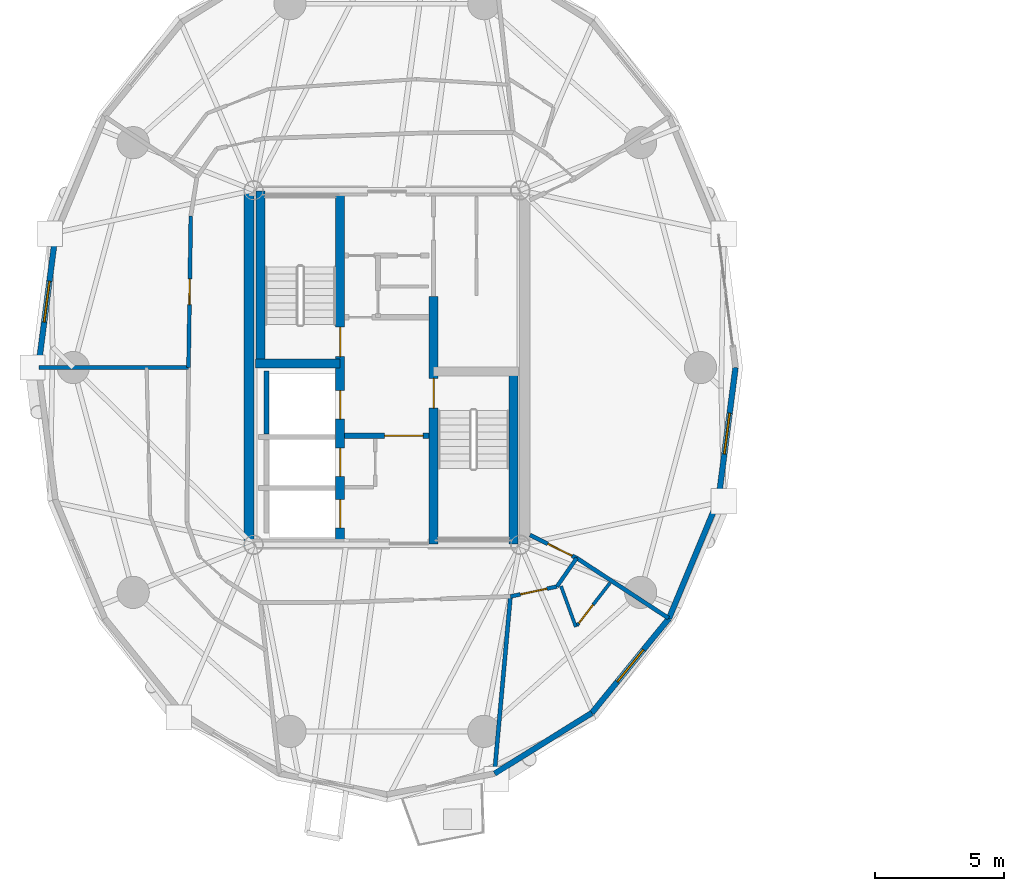
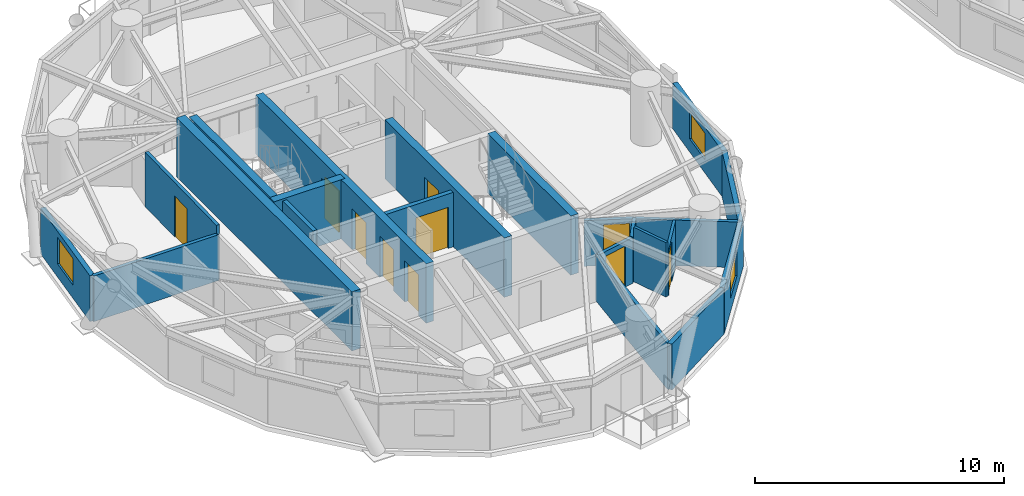
# One storey, part 10 of 18: 22 walls, 10 doors, 3 windows, 13 openings.
"""IFC4 building model written with IfcOpenShell, lengths in metres."""

from ifc_helpers import new_model, si_unit, direction, frame, frame_2d, origin, place, context, subcontext, project, spatial, rectangle, extrude, source, transform, mapped, material, layer, layer_set, type_object, element, fill, save


model = new_model("IFC4")

# Units and contexts
model_context = context("Model", 3, precision=1e-05, world=origin(), true_north=direction((0.0, 1.0)))
body_context = subcontext(model_context, "Body", "Model", "MODEL_VIEW")
ifc_project = project(units=[si_unit("LENGTHUNIT", "METRE"), si_unit("AREAUNIT", "SQUARE_METRE"), si_unit("VOLUMEUNIT", "CUBIC_METRE"), si_unit("PLANEANGLEUNIT", "RADIAN"), si_unit("MASSUNIT", "GRAM", prefix="KILO")], contexts=[model_context])

# Site, building, storey
site_placement = place(None, origin())
site = spatial("IfcSite", under=ifc_project, at=site_placement, CompositionType="ELEMENT")
building_placement = place(site_placement, origin())
building = spatial("IfcBuilding", under=site, at=building_placement, Name="Cununo Teusaquillo Station Towers", CompositionType="ELEMENT")
storey_placement = place(building_placement, frame((0.0, 0.0, 169.06005859375)))
storey = spatial("IfcBuildingStorey", under=building, at=storey_placement, Name="L53", CompositionType="ELEMENT", Elevation=169.06005859375)

# Wall
ifc_material_1 = material(Name="Concrete C50/60", Category="concrete")
ifc_layer_1 = layer(ifc_material_1, 0.199951171875)
ifc_layer_set_1 = layer_set([ifc_layer_1], Name="Concrete C50/60")
wall_type_1 = type_object("IfcWallType", Name="WL-CORE-200", PredefinedType="SHEAR", material=ifc_layer_set_1)
wall_1_placement = place(storey_placement, frame((11.820068359375, 21.919921875, 0.0), z_axis=(0.0, 0.0, 1.0), x_axis=(0.0, 1.0, 0.0)))
element("IfcWall", 1, at=wall_1_placement, inside=storey, type_object=wall_type_1, Name="L53 Tower A Firefighting Lift Shaft Rear Shear Wall", PredefinedType="SHEAR", context=body_context, shape_type="SweptSolid", body=[
    extrude(rectangle(XDim=2.440185546875, YDim=0.199951171875, at=frame_2d((1.22021484375, 0.0))), origin(), (0.0, 0.0, 1.0), 2.909912109375),
])

# Wall, openings, doors
ifc_material_2 = material(Name="Concrete C50/60", Category="concrete")
ifc_layer_2 = layer(ifc_material_2, 0.35009765625)
ifc_layer_set_2 = layer_set([ifc_layer_2], Name="Concrete C50/60")
wall_type_2 = type_object("IfcWallType", Name="WL-CORE-350", PredefinedType="SHEAR", material=ifc_layer_set_2)
wall_2_placement = place(storey_placement, frame((14.68505859375, 17.64990234375, 0.0), z_axis=(0.0, 0.0, 1.0), x_axis=(0.0, 1.0, 0.0)))
wall_2 = element("IfcWall", 2, at=wall_2_placement, inside=storey, type_object=wall_type_2, Name="L53 Tower A Core Shear Wall IW", PredefinedType="SHEAR", context=body_context, shape_type="SweptSolid", body=[
    extrude(rectangle(XDim=13.7001953125, YDim=0.35009765625, at=frame_2d((6.85009765625, 0.0))), origin(), (0.0, 0.0, 1.0), 2.909912109375),
])
shared_shape_1 = source(origin(), body_context, "Body", "SweptSolid", [
    extrude(rectangle(XDim=1.10009765625, YDim=2.014892578125, at=frame_2d((0.550048828125, 1.00732421875))), frame((0.0, 0.18505859375, 0.0), z_axis=(0.0, -1.0, 0.0), x_axis=(1.0, 0.0, 0.0)), (0.0, 0.0, 1.0), 0.3701171875),
])
opening_1_placement = place(wall_2_placement, frame((4.85009765625, 0.0, 0.0)))
opening_1 = element("IfcOpeningElement", 3, at=opening_1_placement, cuts=wall_2, Name="Opening LD-01", PredefinedType="OPENING", context=body_context, shape_type="MappedRepresentation", body=[
    mapped(shared_shape_1, transform((0.0, 0.0, 0.0), x_axis=(1.0, 0.0, 0.0), y_axis=(0.0, 1.0, 0.0), z_axis=(0.0, 0.0, 1.0), scale=1.0)),
])
opening_2_placement = place(wall_2_placement, frame((0.625, 0.0, 0.0)))
opening_2 = element("IfcOpeningElement", 4, at=opening_2_placement, cuts=wall_2, Name="Opening LD-01", PredefinedType="OPENING", context=body_context, shape_type="MappedRepresentation", body=[
    mapped(shared_shape_1, transform((0.0, 0.0, 0.0), x_axis=(1.0, 0.0, 0.0), y_axis=(0.0, 1.0, 0.0), z_axis=(0.0, 0.0, 1.0), scale=1.0)),
])
opening_3_placement = place(wall_2_placement, frame((2.625, 0.0, 0.0)))
opening_3 = element("IfcOpeningElement", 5, at=opening_3_placement, cuts=wall_2, Name="Opening LD-01", PredefinedType="OPENING", context=body_context, shape_type="MappedRepresentation", body=[
    mapped(shared_shape_1, transform((0.0, 0.0, 0.0), x_axis=(1.0, 0.0, 0.0), y_axis=(0.0, 1.0, 0.0), z_axis=(0.0, 0.0, 1.0), scale=1.0)),
])
shared_shape_2 = source(origin(), body_context, "Body", "SweptSolid", [
    extrude(rectangle(XDim=1.14990234375, YDim=2.02001953125, at=frame_2d((0.574951171875, 1.010009765625))), frame((0.0, 0.18505859375, 0.0), z_axis=(0.0, -1.0, 0.0), x_axis=(1.0, 0.0, 0.0)), (0.0, 0.0, 1.0), 0.3701171875),
])
opening_4_placement = place(wall_2_placement, frame((7.27001953125, 0.0, 0.0)))
opening_4 = element("IfcOpeningElement", 6, at=opening_4_placement, cuts=wall_2, Name="Opening D-ST1", PredefinedType="OPENING", context=body_context, shape_type="MappedRepresentation", body=[
    mapped(shared_shape_2, transform((0.0, 0.0, 0.0), x_axis=(1.0, 0.0, 0.0), y_axis=(0.0, 1.0, 0.0), z_axis=(0.0, 0.0, 1.0), scale=1.0)),
])
ifc_material_3 = material(Name="Galvanised fire-rated hollow steel door assembly", Category="steel")
door_type_1 = type_object("IfcDoorType", Name="DR-LIFT-1100", OperationType="SLIDING_TO_LEFT", PredefinedType="DOOR", material=ifc_material_3)
shared_shape_3 = source(origin(), body_context, "Body", "SweptSolid", [
    extrude(rectangle(XDim=1.10009765625, YDim=2.014892578125, at=frame_2d((0.550048828125, 1.00732421875))), frame((0.0, 0.02490234375, 0.0), z_axis=(0.0, -1.0, 0.0), x_axis=(1.0, 0.0, 0.0)), (0.0, 0.0, 1.0), 0.050048828125),
])
door_1_placement = place(opening_1_placement, origin())
door_1 = element("IfcDoor", 7, at=door_1_placement, inside=storey, type_object=door_type_1, Name="L53 Lift FL-T1 Sliding Landing Door", OperationType="SLIDING_TO_RIGHT", OverallHeight=2.014892578125, OverallWidth=1.10009765625, PredefinedType="DOOR", context=body_context, shape_type="MappedRepresentation", body=[
    mapped(shared_shape_3, transform((0.0, 0.0, 0.0), x_axis=(1.0, 0.0, 0.0), y_axis=(0.0, 1.0, 0.0), z_axis=(0.0, 0.0, 1.0), scale=1.0)),
])
fill(opening_1, door_1)
door_2_placement = place(opening_2_placement, origin())
door_2 = element("IfcDoor", 8, at=door_2_placement, inside=storey, type_object=door_type_1, Name="L53 Lift PL-T1-H1 Sliding Landing Door", OperationType="SLIDING_TO_LEFT", OverallHeight=2.014892578125, OverallWidth=1.10009765625, PredefinedType="DOOR", context=body_context, shape_type="MappedRepresentation", body=[
    mapped(shared_shape_3, transform((0.0, 0.0, 0.0), x_axis=(1.0, 0.0, 0.0), y_axis=(0.0, 1.0, 0.0), z_axis=(0.0, 0.0, 1.0), scale=1.0)),
])
fill(opening_2, door_2)
door_3_placement = place(opening_3_placement, origin())
door_3 = element("IfcDoor", 9, at=door_3_placement, inside=storey, type_object=door_type_1, Name="L53 Lift PL-T1-H2 Sliding Landing Door", OperationType="SLIDING_TO_RIGHT", OverallHeight=2.014892578125, OverallWidth=1.10009765625, PredefinedType="DOOR", context=body_context, shape_type="MappedRepresentation", body=[
    mapped(shared_shape_3, transform((0.0, 0.0, 0.0), x_axis=(1.0, 0.0, 0.0), y_axis=(0.0, 1.0, 0.0), z_axis=(0.0, 0.0, 1.0), scale=1.0)),
])
fill(opening_3, door_3)
ifc_material_4 = material(Name="Galvanised fire-rated hollow steel door assembly", Category="steel")
door_type_2 = type_object("IfcDoorType", Name="DR-STAIR-1150", OperationType="NOTDEFINED", PredefinedType="DOOR", material=ifc_material_4)
shared_shape_4 = source(origin(), body_context, "Body", "SweptSolid", [
    extrude(rectangle(XDim=1.14990234375, YDim=2.02001953125, at=frame_2d((0.574951171875, 1.010009765625))), frame((0.0, 0.02490234375, 0.0), z_axis=(0.0, -1.0, 0.0), x_axis=(1.0, 0.0, 0.0)), (0.0, 0.0, 1.0), 0.050048828125),
])
door_4_placement = place(opening_4_placement, origin())
door_4 = element("IfcDoor", 10, at=door_4_placement, inside=storey, type_object=door_type_2, Name="L53 Tower A Exit Stair 1 Fire Door", OperationType="SINGLE_SWING_RIGHT", OverallHeight=2.02001953125, OverallWidth=1.14990234375, PredefinedType="DOOR", context=body_context, shape_type="MappedRepresentation", body=[
    mapped(shared_shape_4, transform((0.0, 0.0, 0.0), x_axis=(1.0, 0.0, 0.0), y_axis=(0.0, 1.0, 0.0), z_axis=(0.0, 0.0, 1.0), scale=1.0)),
])
fill(opening_4, door_4)

# Wall, opening, door
wall_3_placement = place(storey_placement, frame((18.31494140625, 17.64990234375, 0.0), z_axis=(0.0, 0.0, 1.0), x_axis=(0.0, 1.0, 0.0)))
wall_3 = element("IfcWall", 11, at=wall_3_placement, inside=storey, type_object=wall_type_2, Name="L53 Tower A Core Shear Wall IE", PredefinedType="SHEAR", context=body_context, shape_type="SweptSolid", body=[
    extrude(rectangle(XDim=9.60009765625, YDim=0.35009765625, at=frame_2d((4.800048828125, 0.0))), origin(), (0.0, 0.0, 1.0), 2.909912109375),
])
opening_5_placement = place(wall_3_placement, frame((5.280029296875, 0.0, 0.0)))
opening_5 = element("IfcOpeningElement", 12, at=opening_5_placement, cuts=wall_3, Name="Opening D-ST1", PredefinedType="OPENING", context=body_context, shape_type="MappedRepresentation", body=[
    mapped(shared_shape_2, transform((0.0, 0.0, 0.0), x_axis=(1.0, 0.0, 0.0), y_axis=(0.0, 1.0, 0.0), z_axis=(0.0, 0.0, 1.0), scale=1.0)),
])
door_5_placement = place(opening_5_placement, origin())
door_5 = element("IfcDoor", 13, at=door_5_placement, inside=storey, type_object=door_type_2, Name="L53 Tower A Exit Stair 2 Fire Door", OperationType="SINGLE_SWING_LEFT", OverallHeight=2.02001953125, OverallWidth=1.14990234375, PredefinedType="DOOR", context=body_context, shape_type="MappedRepresentation", body=[
    mapped(shared_shape_4, transform((0.0, 0.0, 0.0), x_axis=(1.0, 0.0, 0.0), y_axis=(0.0, 1.0, 0.0), z_axis=(0.0, 0.0, 1.0), scale=1.0)),
])
fill(opening_5, door_5)

# Walls
wall_4_placement = place(storey_placement, frame((11.594970703125, 24.655029296875, 0.0), z_axis=(0.0, 0.0, 1.0), x_axis=(0.0, 1.0, 0.0)))
element("IfcWall", 14, at=wall_4_placement, inside=storey, type_object=wall_type_2, Name="L53 Tower A Core Shear Wall ST1W", PredefinedType="SHEAR", context=body_context, shape_type="SweptSolid", body=[
    extrude(rectangle(XDim=6.695068359375, YDim=0.35009765625, at=frame_2d((3.34765625, 0.0))), origin(), (0.0, 0.0, 1.0), 2.909912109375),
])
wall_5_placement = place(storey_placement, frame((11.39990234375, 24.655029296875, 0.0), z_axis=(0.0, 0.0, 1.0), x_axis=(1.0, 0.0, 0.0)))
element("IfcWall", 15, at=wall_5_placement, inside=storey, type_object=wall_type_2, Name="L53 Tower A Core Shear Wall ST1S", PredefinedType="SHEAR", context=body_context, shape_type="SweptSolid", body=[
    extrude(rectangle(XDim=3.28515625, YDim=0.35009765625, at=frame_2d((1.642578125, 0.0))), origin(), (0.0, 0.0, 1.0), 2.909912109375),
])
wall_6_placement = place(storey_placement, frame((21.405029296875, 17.64990234375, 0.0), z_axis=(0.0, 0.0, 1.0), x_axis=(0.0, 1.0, 0.0)))
element("IfcWall", 16, at=wall_6_placement, inside=storey, type_object=wall_type_2, Name="L53 Tower A Core Shear Wall ST2E", PredefinedType="SHEAR", context=body_context, shape_type="SweptSolid", body=[
    extrude(rectangle(XDim=6.695068359375, YDim=0.35009765625, at=frame_2d((3.34765625, 0.0))), origin(), (0.0, 0.0, 1.0), 2.909912109375),
])
ifc_material_5 = material(Name="Concrete C50/60", Category="concrete")
ifc_layer_3 = layer(ifc_material_5, 0.39990234375)
ifc_layer_set_3 = layer_set([ifc_layer_3], Name="Concrete C50/60")
wall_type_3 = type_object("IfcWallType", Name="WL-CORE-400", PredefinedType="SHEAR", material=ifc_layer_set_3)
wall_7_placement = place(storey_placement, frame((11.14990234375, 17.449951171875, 0.0), z_axis=(0.0, 0.0, 1.0), x_axis=(0.0, 1.0, 0.0)))
element("IfcWall", 17, at=wall_7_placement, inside=storey, type_object=wall_type_3, Name="L53 Tower A Core Shear Wall W", PredefinedType="SHEAR", context=body_context, shape_type="SweptSolid", body=[
    extrude(rectangle(XDim=14.10009765625, YDim=0.39990234375, at=frame_2d((7.050048828125, 0.0))), origin(), (0.0, 0.0, 1.0), 2.909912109375),
])

# Wall, opening, window
ifc_material_6 = material(Name="Precast concrete C40/50", Category="concrete")
ifc_layer_4 = layer(ifc_material_6, 0.219970703125)
ifc_layer_set_4 = layer_set([ifc_layer_4], Name="Precast concrete C40/50")
wall_type_4 = type_object("IfcWallType", Name="WL-EXT-220", PredefinedType="SOLIDWALL", material=ifc_layer_set_4)
wall_8_placement = place(storey_placement, frame((2.968994140625, 24.5, 0.0), z_axis=(0.0, 0.0, 1.0), x_axis=(0.128287912609, 0.991736966881, 0.0)))
wall_8 = element("IfcWall", 18, at=wall_8_placement, inside=storey, type_object=wall_type_4, Name="L53 Tower A Exterior Facade Wall C09", PredefinedType="SOLIDWALL", context=body_context, shape_type="SweptSolid", body=[
    extrude(rectangle(XDim=5.1630859375, YDim=0.219970703125, at=frame_2d((2.58154296875, 0.0))), origin(), (0.0, 0.0, 1.0), 2.244873046875),
])
shared_shape_5 = source(origin(), body_context, "Body", "SweptSolid", [
    extrude(rectangle(XDim=1.60009765625, YDim=1.300048828125, at=frame_2d((0.800048828125, 0.64990234375))), frame((0.0, 0.119873046875, 0.0), z_axis=(0.0, -1.0, 0.0), x_axis=(1.0, 0.0, 0.0)), (0.0, 0.0, 1.0), 0.239990234375),
])
opening_6_placement = place(wall_8_placement, frame((1.781982421875, 0.0, 0.64990234375)))
opening_6 = element("IfcOpeningElement", 19, at=opening_6_placement, cuts=wall_8, Name="Opening WN-03", PredefinedType="OPENING", context=body_context, shape_type="MappedRepresentation", body=[
    mapped(shared_shape_5, transform((0.0, 0.0, 0.0), x_axis=(1.0, 0.0, 0.0), y_axis=(0.0, 1.0, 0.0), z_axis=(0.0, 0.0, 1.0), scale=1.0)),
])
ifc_material_7 = material(Name="Ceramic-fritted dark low-E double glazing", Category="glass")
window_type = type_object("IfcWindowType", Name="WIN-CORN-1600", PartitioningType="SINGLE_PANEL", PredefinedType="WINDOW", material=ifc_material_7)
shared_shape_6 = source(origin(), body_context, "Body", "SweptSolid", [
    extrude(rectangle(XDim=1.60009765625, YDim=1.300048828125, at=frame_2d((0.800048828125, 0.64990234375))), frame((0.0, 0.030029296875, 0.0), z_axis=(0.0, -1.0, 0.0), x_axis=(1.0, 0.0, 0.0)), (0.0, 0.0, 1.0), 0.06005859375),
])
window_1_placement = place(opening_6_placement, origin())
window_1 = element("IfcWindow", 20, at=window_1_placement, inside=storey, type_object=window_type, Name="L53 Tower A Facade Window C09", OverallHeight=1.300048828125, OverallWidth=1.60009765625, PartitioningType="SINGLE_PANEL", PredefinedType="WINDOW", context=body_context, shape_type="MappedRepresentation", body=[
    mapped(shared_shape_6, transform((0.0, 0.0, 0.0), x_axis=(1.0, 0.0, 0.0), y_axis=(0.0, 1.0, 0.0), z_axis=(0.0, 0.0, 1.0), scale=1.0)),
])
fill(opening_6, window_1)

# Wall
wall_9_placement = place(storey_placement, frame((24.453369140625, 11.094482421875, 0.0), z_axis=(0.0, 0.0, 1.0), x_axis=(-0.848399108042, -0.529357113368, 0.0)))
element("IfcWall", 21, at=wall_9_placement, inside=storey, type_object=wall_type_4, Name="L53 Tower A Exterior Facade Wall C16", PredefinedType="SOLIDWALL", context=body_context, shape_type="SweptSolid", body=[
    extrude(rectangle(XDim=4.446044921875, YDim=0.219970703125, at=frame_2d((2.22314453125, 0.0))), origin(), (0.0, 0.0, 1.0), 2.244873046875),
])

# Wall, opening, window
wall_10_placement = place(storey_placement, frame((27.44677734375, 14.760498046875, 0.0), z_axis=(0.0, 0.0, 1.0), x_axis=(-0.632470615287, -0.774584353572, 0.0)))
wall_10 = element("IfcWall", 22, at=wall_10_placement, inside=storey, type_object=wall_type_4, Name="L53 Tower A Exterior Facade Wall C17", PredefinedType="SOLIDWALL", context=body_context, shape_type="SweptSolid", body=[
    extrude(rectangle(XDim=4.73291015625, YDim=0.219970703125, at=frame_2d((2.366455078125, 0.0))), origin(), (0.0, 0.0, 1.0), 2.244873046875),
])
opening_7_placement = place(wall_10_placement, frame((1.56591796875, 0.0, 0.64990234375)))
opening_7 = element("IfcOpeningElement", 23, at=opening_7_placement, cuts=wall_10, Name="Opening WN-03", PredefinedType="OPENING", context=body_context, shape_type="MappedRepresentation", body=[
    mapped(shared_shape_5, transform((0.0, 0.0, 0.0), x_axis=(1.0, 0.0, 0.0), y_axis=(0.0, 1.0, 0.0), z_axis=(0.0, 0.0, 1.0), scale=1.0)),
])
window_2_placement = place(opening_7_placement, origin())
window_2 = element("IfcWindow", 24, at=window_2_placement, inside=storey, type_object=window_type, Name="L53 Tower A Facade Window C17", OverallHeight=1.300048828125, OverallWidth=1.60009765625, PartitioningType="SINGLE_PANEL", PredefinedType="WINDOW", context=body_context, shape_type="MappedRepresentation", body=[
    mapped(shared_shape_6, transform((0.0, 0.0, 0.0), x_axis=(1.0, 0.0, 0.0), y_axis=(0.0, 1.0, 0.0), z_axis=(0.0, 0.0, 1.0), scale=1.0)),
])
fill(opening_7, window_2)

# Wall
wall_11_placement = place(storey_placement, frame((29.36865234375, 19.379638671875, 0.0), z_axis=(0.0, 0.0, 1.0), x_axis=(-0.384144094086, -0.923273152961, 0.0)))
element("IfcWall", 25, at=wall_11_placement, inside=storey, type_object=wall_type_4, Name="L53 Tower A Exterior Facade Wall C18", PredefinedType="SOLIDWALL", context=body_context, shape_type="SweptSolid", body=[
    extrude(rectangle(XDim=5.0029296875, YDim=0.219970703125, at=frame_2d((2.50146484375, 0.0))), origin(), (0.0, 0.0, 1.0), 2.244873046875),
])

# Wall, opening, window
wall_12_placement = place(storey_placement, frame((30.031005859375, 24.5, 0.0), z_axis=(0.0, 0.0, 1.0), x_axis=(-0.128287912609, -0.991736966881, 0.0)))
wall_12 = element("IfcWall", 26, at=wall_12_placement, inside=storey, type_object=wall_type_4, Name="L53 Tower A Exterior Facade Wall C19", PredefinedType="SOLIDWALL", context=body_context, shape_type="SweptSolid", body=[
    extrude(rectangle(XDim=5.1630859375, YDim=0.219970703125, at=frame_2d((2.58154296875, 0.0))), origin(), (0.0, 0.0, 1.0), 2.244873046875),
])
opening_8_placement = place(wall_12_placement, frame((1.781982421875, 0.0, 0.64990234375)))
opening_8 = element("IfcOpeningElement", 27, at=opening_8_placement, cuts=wall_12, Name="Opening WN-03", PredefinedType="OPENING", context=body_context, shape_type="MappedRepresentation", body=[
    mapped(shared_shape_5, transform((0.0, 0.0, 0.0), x_axis=(1.0, 0.0, 0.0), y_axis=(0.0, 1.0, 0.0), z_axis=(0.0, 0.0, 1.0), scale=1.0)),
])
window_3_placement = place(opening_8_placement, origin())
window_3 = element("IfcWindow", 28, at=window_3_placement, inside=storey, type_object=window_type, Name="L53 Tower A Facade Window C19", OverallHeight=1.300048828125, OverallWidth=1.60009765625, PartitioningType="SINGLE_PANEL", PredefinedType="WINDOW", context=body_context, shape_type="MappedRepresentation", body=[
    mapped(shared_shape_6, transform((0.0, 0.0, 0.0), x_axis=(1.0, 0.0, 0.0), y_axis=(0.0, 1.0, 0.0), z_axis=(0.0, 0.0, 1.0), scale=1.0)),
])
fill(opening_8, window_3)

# Wall
ifc_material_8 = material(Name="Fire-rated gypsum plasterboard partition assembly", Category="gypsum")
ifc_layer_5 = layer(ifc_material_8, 0.125)
ifc_layer_set_5 = layer_set([ifc_layer_5], Name="Fire-rated gypsum plasterboard partition assembly")
wall_type_5 = type_object("IfcWallType", Name="WL-PART-125", PredefinedType="PARTITIONING", material=ifc_layer_set_5)
wall_13_placement = place(storey_placement, frame((23.256103515625, 16.018310546875, 0.0), z_axis=(0.0, 0.0, 1.0), x_axis=(0.342788033774, -0.939412776101, 0.0)))
element("IfcWall", 29, at=wall_13_placement, inside=storey, type_object=wall_type_5, Name="L53 Tower A S06 En-suite Side Wall", PredefinedType="PARTITIONING", context=body_context, shape_type="SweptSolid", body=[
    extrude(rectangle(XDim=1.68798828125, YDim=0.125, at=frame_2d((0.843994140625, 0.0))), origin(), (0.0, 0.0, 1.0), 2.675048828125),
])

# Wall, opening, door
wall_14_placement = place(storey_placement, frame((23.875, 14.484375, 0.0), z_axis=(0.0, 0.0, 1.0), x_axis=(0.61297586552, 0.790101631621, 0.0)))
wall_14 = element("IfcWall", 30, at=wall_14_placement, inside=storey, type_object=wall_type_5, Name="L53 Tower A S06 En-suite Back Wall", PredefinedType="PARTITIONING", context=body_context, shape_type="SweptSolid", body=[
    extrude(rectangle(XDim=2.103271484375, YDim=0.125, at=frame_2d((1.0517578125, 0.0))), origin(), (0.0, 0.0, 1.0), 2.244873046875),
])
shared_shape_7 = source(origin(), body_context, "Body", "SweptSolid", [
    extrude(rectangle(XDim=0.89990234375, YDim=2.0048828125, at=frame_2d((0.449951171875, 1.00244140625))), frame((0.0, 0.072509765625, 0.0), z_axis=(0.0, -1.0, 0.0), x_axis=(1.0, 0.0, 0.0)), (0.0, 0.0, 1.0), 0.14501953125),
])
opening_9_placement = place(wall_14_placement, frame((0.1201171875, 0.0, 0.0)))
opening_9 = element("IfcOpeningElement", 31, at=opening_9_placement, cuts=wall_14, Name="Opening D-IN1", PredefinedType="OPENING", context=body_context, shape_type="MappedRepresentation", body=[
    mapped(shared_shape_7, transform((0.0, 0.0, 0.0), x_axis=(1.0, 0.0, 0.0), y_axis=(0.0, 1.0, 0.0), z_axis=(0.0, 0.0, 1.0), scale=1.0)),
])
ifc_material_9 = material(Name="Acoustic solid-core hardwood leaf assembly", Category="wood")
door_type_3 = type_object("IfcDoorType", Name="DR-INT-900", OperationType="NOTDEFINED", PredefinedType="DOOR", material=ifc_material_9)
shared_shape_8 = source(origin(), body_context, "Body", "SweptSolid", [
    extrude(rectangle(XDim=0.89990234375, YDim=2.0048828125, at=frame_2d((0.449951171875, 1.00244140625))), frame((0.0, 0.02490234375, 0.0), z_axis=(0.0, -1.0, 0.0), x_axis=(1.0, 0.0, 0.0)), (0.0, 0.0, 1.0), 0.050048828125),
])
door_6_placement = place(opening_9_placement, origin())
door_6 = element("IfcDoor", 32, at=door_6_placement, inside=storey, type_object=door_type_3, Name="L53 Tower A S06 En-suite Bathroom Door", OperationType="SINGLE_SWING_RIGHT", OverallHeight=2.0048828125, OverallWidth=0.89990234375, PredefinedType="DOOR", context=body_context, shape_type="MappedRepresentation", body=[
    mapped(shared_shape_8, transform((0.0, 0.0, 0.0), x_axis=(1.0, 0.0, 0.0), y_axis=(0.0, 1.0, 0.0), z_axis=(0.0, 0.0, 1.0), scale=1.0)),
])
fill(opening_9, door_6)

ifc_material_10 = material(Name="Fire-rated gypsum plasterboard partition assembly", Category="gypsum")
ifc_layer_6 = layer(ifc_material_10, 0.14990234375)
ifc_layer_set_6 = layer_set([ifc_layer_6], Name="Fire-rated gypsum plasterboard partition assembly")
wall_type_6 = type_object("IfcWallType", Name="WL-PART-150", PredefinedType="PARTITIONING", material=ifc_layer_set_6)
wall_15_placement = place(storey_placement, frame((8.888427734375, 30.38134765625, 0.0), z_axis=(0.0, 0.0, 1.0), x_axis=(-0.015025285815, -0.999887114021, 0.0)))
wall_15 = element("IfcWall", 33, at=wall_15_placement, inside=storey, type_object=wall_type_6, Name="L53 Tower A Corridor Ring Wall C09", PredefinedType="PARTITIONING", context=body_context, shape_type="SweptSolid", body=[
    extrude(rectangle(XDim=5.882080078125, YDim=0.14990234375, at=frame_2d((2.94091796875, 0.0))), origin(), (0.0, 0.0, 1.0), 2.675048828125),
])
shared_shape_9 = source(origin(), body_context, "Body", "SweptSolid", [
    extrude(rectangle(XDim=1.0, YDim=2.014892578125, at=frame_2d((0.5, 1.00732421875))), frame((0.0, 0.0849609375, 0.0), z_axis=(0.0, -1.0, 0.0), x_axis=(1.0, 0.0, 0.0)), (0.0, 0.0, 1.0), 0.169921875),
])
opening_10_placement = place(wall_15_placement, frame((2.44091796875, 0.0, 0.0)))
opening_10 = element("IfcOpeningElement", 34, at=opening_10_placement, cuts=wall_15, Name="Opening D-AC1", PredefinedType="OPENING", context=body_context, shape_type="MappedRepresentation", body=[
    mapped(shared_shape_9, transform((0.0, 0.0, 0.0), x_axis=(1.0, 0.0, 0.0), y_axis=(0.0, 1.0, 0.0), z_axis=(0.0, 0.0, 1.0), scale=1.0)),
])
ifc_material_11 = material(Name="Acoustic solid-core hardwood leaf assembly", Category="wood")
door_type_4 = type_object("IfcDoorType", Name="DR-ACC-1000", OperationType="NOTDEFINED", PredefinedType="DOOR", material=ifc_material_11)
shared_shape_10 = source(origin(), body_context, "Body", "SweptSolid", [
    extrude(rectangle(XDim=1.0, YDim=2.014892578125, at=frame_2d((0.5, 1.00732421875))), frame((0.0, 0.02490234375, 0.0), z_axis=(0.0, -1.0, 0.0), x_axis=(1.0, 0.0, 0.0)), (0.0, 0.0, 1.0), 0.050048828125),
])
door_7_placement = place(opening_10_placement, origin())
door_7 = element("IfcDoor", 35, at=door_7_placement, inside=storey, type_object=door_type_4, Name="L53 Tower A Public Accessible Restroom WC Entrance Door", OperationType="SINGLE_SWING_LEFT", OverallHeight=2.014892578125, OverallWidth=1.0, PredefinedType="DOOR", context=body_context, shape_type="MappedRepresentation", body=[
    mapped(shared_shape_10, transform((0.0, 0.0, 0.0), x_axis=(1.0, 0.0, 0.0), y_axis=(0.0, 1.0, 0.0), z_axis=(0.0, 0.0, 1.0), scale=1.0)),
])
fill(opening_10, door_7)

wall_16_placement = place(storey_placement, frame((21.29541015625, 15.614990234375, 0.0), z_axis=(0.0, 0.0, 1.0), x_axis=(0.978043957244, 0.20839869889, 0.0)))
wall_16 = element("IfcWall", 36, at=wall_16_placement, inside=storey, type_object=wall_type_6, Name="L53 Tower A Corridor Ring Wall C16", PredefinedType="PARTITIONING", context=body_context, shape_type="SweptSolid", body=[
    extrude(rectangle(XDim=1.843994140625, YDim=0.14990234375, at=frame_2d((0.921875, 0.0))), origin(), (0.0, 0.0, 1.0), 2.244873046875),
])
shared_shape_11 = source(origin(), body_context, "Body", "SweptSolid", [
    extrude(rectangle(XDim=1.050048828125, YDim=2.014892578125, at=frame_2d((0.52490234375, 1.00732421875))), frame((0.0, 0.0849609375, 0.0), z_axis=(0.0, -1.0, 0.0), x_axis=(1.0, 0.0, 0.0)), (0.0, 0.0, 1.0), 0.169921875),
])
opening_11_placement = place(wall_16_placement, frame((0.39697265625, 0.0, 0.0)))
opening_11 = element("IfcOpeningElement", 37, at=opening_11_placement, cuts=wall_16, Name="Opening D-SU1", PredefinedType="OPENING", context=body_context, shape_type="MappedRepresentation", body=[
    mapped(shared_shape_11, transform((0.0, 0.0, 0.0), x_axis=(1.0, 0.0, 0.0), y_axis=(0.0, 1.0, 0.0), z_axis=(0.0, 0.0, 1.0), scale=1.0)),
])
ifc_material_12 = material(Name="Acoustic solid-core hardwood leaf assembly", Category="wood")
door_type_5 = type_object("IfcDoorType", Name="DR-SUITE-1050", OperationType="NOTDEFINED", PredefinedType="DOOR", material=ifc_material_12)
shared_shape_12 = source(origin(), body_context, "Body", "SweptSolid", [
    extrude(rectangle(XDim=1.050048828125, YDim=2.014892578125, at=frame_2d((0.52490234375, 1.00732421875))), frame((0.0, 0.02490234375, 0.0), z_axis=(0.0, -1.0, 0.0), x_axis=(1.0, 0.0, 0.0)), (0.0, 0.0, 1.0), 0.050048828125),
])
door_8_placement = place(opening_11_placement, origin())
door_8 = element("IfcDoor", 38, at=door_8_placement, inside=storey, type_object=door_type_5, Name="L53 Tower A Diplomatic Crest Hotel Suite Entrance Door", OperationType="SINGLE_SWING_LEFT", OverallHeight=2.014892578125, OverallWidth=1.050048828125, PredefinedType="DOOR", context=body_context, shape_type="MappedRepresentation", body=[
    mapped(shared_shape_12, transform((0.0, 0.0, 0.0), x_axis=(1.0, 0.0, 0.0), y_axis=(0.0, 1.0, 0.0), z_axis=(0.0, 0.0, 1.0), scale=1.0)),
])
fill(opening_11, door_8)

# Walls
wall_17_placement = place(storey_placement, frame((23.098876953125, 15.999267578125, 0.0), z_axis=(0.0, 0.0, 1.0), x_axis=(0.570001625459, 0.821643564433, 0.0)))
element("IfcWall", 39, at=wall_17_placement, inside=storey, type_object=wall_type_6, Name="L53 Tower A Corridor Ring Wall C17", PredefinedType="PARTITIONING", context=body_context, shape_type="SweptSolid", body=[
    extrude(rectangle(XDim=1.3466796875, YDim=0.14990234375, at=frame_2d((0.67333984375, 0.0))), origin(), (0.0, 0.0, 1.0), 2.244873046875),
])
ifc_material_13 = material(Name="Fire-rated gypsum plasterboard partition assembly", Category="gypsum")
ifc_layer_7 = layer(ifc_material_13, 0.159912109375)
ifc_layer_set_7 = layer_set([ifc_layer_7], Name="Fire-rated gypsum plasterboard partition assembly")
wall_type_7 = type_object("IfcWallType", Name="WL-PART-160", PredefinedType="PARTITIONING", material=ifc_layer_set_7)
wall_18_placement = place(storey_placement, frame((8.800048828125, 24.5, 0.0), z_axis=(0.0, 0.0, 1.0), x_axis=(-1.0, 0.0, 0.0)))
element("IfcWall", 40, at=wall_18_placement, inside=storey, type_object=wall_type_7, Name="L53 Tower A Radial Suite Partition R04", PredefinedType="PARTITIONING", context=body_context, shape_type="SweptSolid", body=[
    extrude(rectangle(XDim=5.81103515625, YDim=0.159912109375, at=frame_2d((2.905517578125, 0.0))), origin(), (0.0, 0.0, 1.0), 2.244873046875),
])
wall_19_placement = place(storey_placement, frame((21.29541015625, 15.614990234375, 0.0), z_axis=(0.0, 0.0, 1.0), x_axis=(-0.090129576558, -0.995930047458, 0.0)))
element("IfcWall", 41, at=wall_19_placement, inside=storey, type_object=wall_type_7, Name="L53 Tower A Radial Suite Partition R06", PredefinedType="PARTITIONING", context=body_context, shape_type="SweptSolid", body=[
    extrude(rectangle(XDim=6.883056640625, YDim=0.159912109375, at=frame_2d((3.44140625, 0.0))), origin(), (0.0, 0.0, 1.0), 2.244873046875),
])
wall_20_placement = place(storey_placement, frame((23.866455078125, 17.105712890625, 0.0), z_axis=(0.0, 0.0, 1.0), x_axis=(0.836641352238, -0.547751081902, 0.0)))
element("IfcWall", 42, at=wall_20_placement, inside=storey, type_object=wall_type_7, Name="L53 Tower A Radial Suite Partition R07", PredefinedType="PARTITIONING", context=body_context, shape_type="SweptSolid", body=[
    extrude(rectangle(XDim=4.26025390625, YDim=0.159912109375, at=frame_2d((2.130126953125, 0.0))), origin(), (0.0, 0.0, 1.0), 2.244873046875),
])

# Wall, opening, door
wall_21_placement = place(storey_placement, frame((22.050048828125, 18.0, 0.0), z_axis=(0.0, 0.0, 1.0), x_axis=(0.897159648657, -0.441706423795, 0.0)))
wall_21 = element("IfcWall", 43, at=wall_21_placement, inside=storey, type_object=wall_type_7, Name="L53 Tower A East Salon Corridor Portal Wall SE", PredefinedType="PARTITIONING", context=body_context, shape_type="SweptSolid", body=[
    extrude(rectangle(XDim=2.024658203125, YDim=0.159912109375, at=frame_2d((1.01220703125, 0.0))), origin(), (0.0, 0.0, 1.0), 2.244873046875),
])
shared_shape_13 = source(origin(), body_context, "Body", "SweptSolid", [
    extrude(rectangle(XDim=1.050048828125, YDim=2.014892578125, at=frame_2d((0.52490234375, 1.00732421875))), frame((0.0, 0.08984375, 0.0), z_axis=(0.0, -1.0, 0.0), x_axis=(1.0, 0.0, 0.0)), (0.0, 0.0, 1.0), 0.179931640625),
])
opening_12_placement = place(wall_21_placement, frame((0.774658203125, 0.0, 0.0)))
opening_12 = element("IfcOpeningElement", 44, at=opening_12_placement, cuts=wall_21, Name="Opening D-SU1", PredefinedType="OPENING", context=body_context, shape_type="MappedRepresentation", body=[
    mapped(shared_shape_13, transform((0.0, 0.0, 0.0), x_axis=(1.0, 0.0, 0.0), y_axis=(0.0, 1.0, 0.0), z_axis=(0.0, 0.0, 1.0), scale=1.0)),
])
door_9_placement = place(opening_12_placement, origin())
door_9 = element("IfcDoor", 45, at=door_9_placement, inside=storey, type_object=door_type_5, Name="L53 Tower A East Panorama Sky Salon Door SE", OperationType="SINGLE_SWING_RIGHT", OverallHeight=2.014892578125, OverallWidth=1.050048828125, PredefinedType="DOOR", context=body_context, shape_type="MappedRepresentation", body=[
    mapped(shared_shape_12, transform((0.0, 0.0, 0.0), x_axis=(1.0, 0.0, 0.0), y_axis=(0.0, 1.0, 0.0), z_axis=(0.0, 0.0, 1.0), scale=1.0)),
])
fill(opening_12, door_9)

ifc_material_14 = material(Name="Fire-rated gypsum plasterboard partition assembly", Category="gypsum")
ifc_layer_8 = layer(ifc_material_14, 0.199951171875)
ifc_layer_set_8 = layer_set([ifc_layer_8], Name="Fire-rated gypsum plasterboard partition assembly")
wall_type_8 = type_object("IfcWallType", Name="WL-PART-200", PredefinedType="PARTITIONING", material=ifc_layer_set_8)
wall_22_placement = place(storey_placement, frame((14.860107421875, 21.85009765625, 0.0), z_axis=(0.0, 0.0, 1.0), x_axis=(1.0, 0.0, 0.0)))
wall_22 = element("IfcWall", 46, at=wall_22_placement, inside=storey, type_object=wall_type_8, Name="L53 Tower A Firefighting Lift Lobby South Fire Wall", PredefinedType="PARTITIONING", context=body_context, shape_type="SweptSolid", body=[
    extrude(rectangle(XDim=3.27978515625, YDim=0.199951171875, at=frame_2d((1.639892578125, 0.0))), origin(), (0.0, 0.0, 1.0), 2.675048828125),
])
shared_shape_14 = source(origin(), body_context, "Body", "SweptSolid", [
    extrude(rectangle(XDim=1.5, YDim=2.02001953125, at=frame_2d((0.75, 1.010009765625))), frame((0.0, 0.10986328125, 0.0), z_axis=(0.0, -1.0, 0.0), x_axis=(1.0, 0.0, 0.0)), (0.0, 0.0, 1.0), 0.219970703125),
])
opening_13_placement = place(wall_22_placement, frame((1.550048828125, 0.0, 0.0)))
opening_13 = element("IfcOpeningElement", 47, at=opening_13_placement, cuts=wall_22, Name="Opening D-LB1", PredefinedType="OPENING", context=body_context, shape_type="MappedRepresentation", body=[
    mapped(shared_shape_14, transform((0.0, 0.0, 0.0), x_axis=(1.0, 0.0, 0.0), y_axis=(0.0, 1.0, 0.0), z_axis=(0.0, 0.0, 1.0), scale=1.0)),
])
ifc_material_15 = material(Name="Galvanised fire-rated hollow steel door assembly", Category="steel")
door_type_6 = type_object("IfcDoorType", Name="DR-LOBBY-1500", OperationType="DOUBLE_DOOR_SINGLE_SWING", PredefinedType="DOOR", material=ifc_material_15)
shared_shape_15 = source(origin(), body_context, "Body", "SweptSolid", [
    extrude(rectangle(XDim=1.5, YDim=2.02001953125, at=frame_2d((0.75, 1.010009765625))), frame((0.0, 0.02490234375, 0.0), z_axis=(0.0, -1.0, 0.0), x_axis=(1.0, 0.0, 0.0)), (0.0, 0.0, 1.0), 0.050048828125),
])
door_10_placement = place(opening_13_placement, origin())
door_10 = element("IfcDoor", 48, at=door_10_placement, inside=storey, type_object=door_type_6, Name="L53 Tower A Firefighting Lift Lobby South Fire Door", OperationType="DOUBLE_DOOR_SINGLE_SWING", OverallHeight=2.02001953125, OverallWidth=1.5, PredefinedType="DOOR", context=body_context, shape_type="MappedRepresentation", body=[
    mapped(shared_shape_15, transform((0.0, 0.0, 0.0), x_axis=(1.0, 0.0, 0.0), y_axis=(0.0, 1.0, 0.0), z_axis=(0.0, 0.0, 1.0), scale=1.0)),
])
fill(opening_13, door_10)

save(model, "model.ifc")
